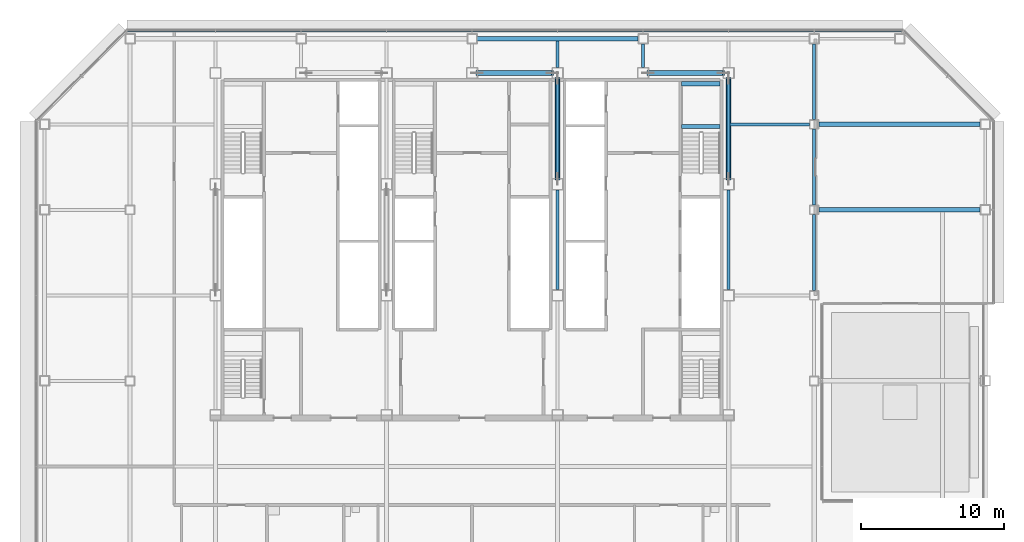
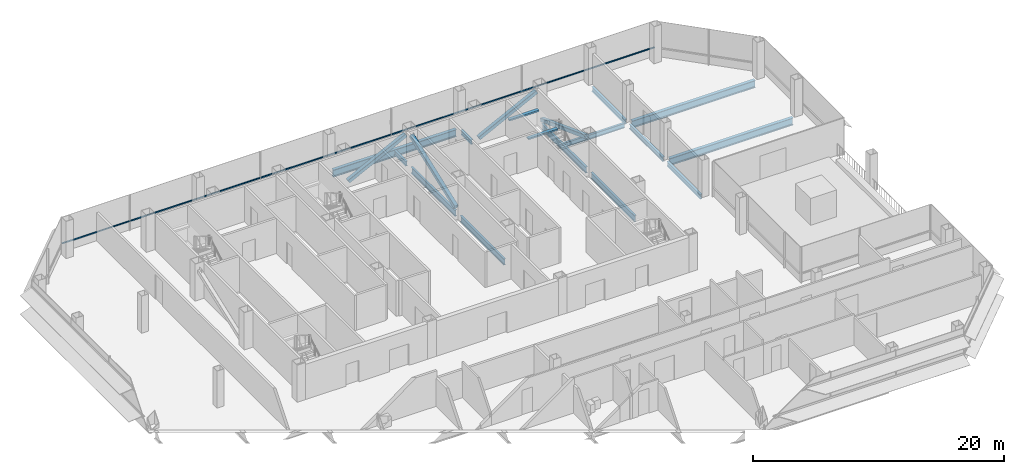
# One storey, part 14 of 27: 15 beams, 5 members, 1 element without a shape of its own.
"""IFC4 building model written with IfcOpenShell, lengths in metres."""

from ifc_helpers import new_model, si_unit, direction, frame, origin, origin_2d, place, context, subcontext, project, spatial, rectangle, hollow_rectangle, i_section, extrude, material, material_profile, profile_set, type_object, element, aggregate, save


model = new_model("IFC4")

# Units and contexts
model_context = context("Model", 3, precision=1e-05, world=origin(), true_north=direction((0.0, 1.0)))
body_context = subcontext(model_context, "Body", "Model", "MODEL_VIEW")
ifc_project = project(units=[si_unit("LENGTHUNIT", "METRE"), si_unit("AREAUNIT", "SQUARE_METRE"), si_unit("VOLUMEUNIT", "CUBIC_METRE"), si_unit("PLANEANGLEUNIT", "RADIAN"), si_unit("MASSUNIT", "GRAM", prefix="KILO")], contexts=[model_context])

# Site, building, storey
site_placement = place(None, origin())
site = spatial("IfcSite", under=ifc_project, at=site_placement, CompositionType="ELEMENT")
building_placement = place(site_placement, origin())
building = spatial("IfcBuilding", under=site, at=building_placement, Name="Sorahane Residences", CompositionType="ELEMENT")
storey_placement = place(building_placement, frame((0.0, 0.0, 167.199951171875)))
storey = spatial("IfcBuildingStorey", under=building, at=storey_placement, Name="L38", CompositionType="ELEMENT", Elevation=167.199951171875)

# Members
ifc_material_1 = material(Name="Steel Q355B", Category="steel")
ifc_material_profile_1 = material_profile(ifc_material_1, hollow_rectangle(XDim=0.35009765625, YDim=0.35009765625, WallThickness=0.01806640625, InnerFilletRadius=0.009033203125, OuterFilletRadius=0.027099609375, at=origin_2d()), Name="RHS 350x350x18")
ifc_profile_set_1 = profile_set([ifc_material_profile_1], Name="Steel Q355B")
member_type_1 = type_object("IfcMemberType", Name="Core brace RHS 350x350x18 Q355B", PredefinedType="BRACE", material=ifc_profile_set_1)
for number, where, z_axis, x_axis, name in (
    (1, (24.352783203125, 45.60009765625, 0.151123046875), (0.893039246852, 0.0, 0.449978781258), (0.0, 1.0, 0.0), "Core brace L38 y45.6-4"),
    (2, (36.352783203125, 45.60009765625, 0.151123046875), (0.893039246852, 0.0, 0.449978781258), (0.0, 1.0, 0.0), "Core brace L38 y45.6-6"),
):
    element("IfcMember", number, at=place(storey_placement, frame(where, z_axis=z_axis, x_axis=x_axis)), inside=storey, type_object=member_type_1, Name=name, PredefinedType="BRACE", context=body_context, shape_type="SweptSolid", body=[
        extrude(hollow_rectangle(XDim=0.35009765625, YDim=0.35009765625, WallThickness=0.01806640625, InnerFilletRadius=0.009033203125, OuterFilletRadius=0.027099609375, at=origin_2d()), origin(), (0.0, 0.0, 1.0), 5.928466796875),
    ])
for number, where, z_axis, x_axis, name in (
    (3, (42.0, 45.23681640625, 0.161376953125), (0.0, -0.936554808937, 0.350521168914), (1.0, 0.0, 0.0), "Core brace L38 x42-3"),
    (4, (30.0, 38.1630859375, 0.161376953125), (0.0, 0.936554808937, 0.350521168914), (-1.0, 0.0, 0.0), "Core brace L38 x30-2"),
):
    element("IfcMember", number, at=place(storey_placement, frame(where, z_axis=z_axis, x_axis=x_axis)), inside=storey, type_object=member_type_1, Name=name, PredefinedType="BRACE", context=body_context, shape_type="SweptSolid", body=[
        extrude(hollow_rectangle(XDim=0.35009765625, YDim=0.35009765625, WallThickness=0.01806640625, InnerFilletRadius=0.009033203125, OuterFilletRadius=0.027099609375, at=origin_2d()), origin(), (0.0, 0.0, 1.0), 7.552978515625),
    ])

# Curtain wall, member
ifc_material_2 = material(Name="Dark low-e glass and black anodised aluminium", Category="aluminium")
curtain_wall_type = type_object("IfcCurtainWallType", Name="Curtain wall CW-1 Typical unitised wall", PredefinedType="NOTDEFINED", material=ifc_material_2)
curtain_wall_placement = place(storey_placement, origin())
curtain_wall = element("IfcCurtainWall", 5, at=curtain_wall_placement, inside=storey, type_object=curtain_wall_type, Name="CW-1 curtain wall L38 N2", PredefinedType="NOTDEFINED")
ifc_material_3 = material(Name="Black anodised aluminium", Category="aluminium")
ifc_material_profile_2 = material_profile(ifc_material_3, rectangle(XDim=0.10009765625, YDim=0.06005859375, at=origin_2d()), Name="Curtain wall transom CW-1 black anodised aluminium 60x100")
ifc_profile_set_2 = profile_set([ifc_material_profile_2], Name="Black anodised aluminium")
member_type_2 = type_object("IfcMemberType", Name="Curtain wall transom CW-1 black anodised aluminium 60x100", PredefinedType="USERDEFINED", material=ifc_profile_set_2)
member_placement = place(storey_placement, frame((54.198486328125, 48.530029296875, 0.900146484375), z_axis=(-1.0, 0.0, 0.0), x_axis=(0.0, -1.0, 0.0)))
member = element("IfcMember", 6, at=member_placement, type_object=member_type_2, Name="CW-1 transom L38 N2", ObjectType="TRANSOM", PredefinedType="USERDEFINED", context=body_context, shape_type="SweptSolid", body=[
    extrude(rectangle(XDim=0.10009765625, YDim=0.06005859375, at=origin_2d()), origin(), (0.0, 0.0, 1.0), 54.39697265625),
])
aggregate(curtain_wall, [member])

# Beams
ifc_material_4 = material(Name="Concrete C40", Category="concrete")
ifc_material_profile_3 = material_profile(ifc_material_4, rectangle(XDim=0.300048828125, YDim=0.139892578125, at=origin_2d()), Name="300x140")
ifc_profile_set_3 = profile_set([ifc_material_profile_3], Name="Concrete C40")
beam_type_1 = type_object("IfcBeamType", Name="RC landing beam 300 x 140 Concrete C40", PredefinedType="BEAM", material=ifc_profile_set_3)
for number, where, z_axis, x_axis, name in (
    (7, (38.699951171875, 41.85009765625, 1.530029296875), (1.0, 0.0, 0.0), (0.0, 1.0, 0.0), "Landing beam"),
    (8, (38.699951171875, 44.85009765625, 1.530029296875), (1.0, 0.0, 0.0), (0.0, 1.0, 0.0), "Landing beam"),
):
    element("IfcBeam", number, at=place(storey_placement, frame(where, z_axis=z_axis, x_axis=x_axis)), inside=storey, type_object=beam_type_1, Name=name, PredefinedType="BEAM", context=body_context, shape_type="SweptSolid", body=[
        extrude(rectangle(XDim=0.300048828125, YDim=0.139892578125, at=origin_2d()), origin(), (0.0, 0.0, 1.0), 2.699951171875),
    ])
ifc_material_5 = material(Name="Steel Q355B", Category="steel")
ifc_material_profile_4 = material_profile(ifc_material_5, i_section(OverallWidth=0.199951171875, OverallDepth=0.449951171875, WebThickness=0.009033203125, FlangeThickness=0.013916015625, FilletRadius=0.02001953125, at=origin_2d()), Name="HN 450x200x9x14")
ifc_profile_set_4 = profile_set([ifc_material_profile_4], Name="Steel Q355B")
beam_type_2 = type_object("IfcBeamType", Name="Steel floor beam HN 450x200x9x14 Q355B", PredefinedType="BEAM", material=ifc_profile_set_4)
beam_1_placement = place(storey_placement, frame((30.0, 46.0, -0.405029296875), z_axis=(0.0, 1.0, 0.0), x_axis=(-1.0, 0.0, 0.0)))
element("IfcBeam", 9, at=beam_1_placement, inside=storey, type_object=beam_type_2, Name="Beam L38 049", PredefinedType="BEAM", context=body_context, shape_type="SweptSolid", body=[
    extrude(i_section(OverallWidth=0.199951171875, OverallDepth=0.449951171875, WebThickness=0.009033203125, FlangeThickness=0.013916015625, FilletRadius=0.02001953125, at=origin_2d()), origin(), (0.0, 0.0, 1.0), 1.85009765625),
])
beam_2_placement = place(storey_placement, frame((36.0, 46.0, -0.405029296875), z_axis=(0.0, 1.0, 0.0), x_axis=(-1.0, 0.0, 0.0)))
element("IfcBeam", 10, at=beam_2_placement, inside=storey, type_object=beam_type_2, Name="Beam L38 051", PredefinedType="BEAM", context=body_context, shape_type="SweptSolid", body=[
    extrude(i_section(OverallWidth=0.199951171875, OverallDepth=0.449951171875, WebThickness=0.009033203125, FlangeThickness=0.013916015625, FilletRadius=0.02001953125, at=origin_2d()), origin(), (0.0, 0.0, 1.0), 1.64990234375),
])
for number, where, z_axis, x_axis, name in (
    (11, (48.0, 30.324951171875, -0.405029296875), (0.0, 1.0, 0.0), (-1.0, 0.0, 0.0), "Beam L38 061"),
    (12, (48.0, 36.324951171875, -0.405029296875), (0.0, 1.0, 0.0), (-1.0, 0.0, 0.0), "Beam L38 062"),
):
    element("IfcBeam", number, at=place(storey_placement, frame(where, z_axis=z_axis, x_axis=x_axis)), inside=storey, type_object=beam_type_2, Name=name, PredefinedType="BEAM", context=body_context, shape_type="SweptSolid", body=[
        extrude(i_section(OverallWidth=0.199951171875, OverallDepth=0.449951171875, WebThickness=0.009033203125, FlangeThickness=0.013916015625, FilletRadius=0.02001953125, at=origin_2d()), origin(), (0.0, 0.0, 1.0), 5.35009765625),
    ])
beam_3_placement = place(storey_placement, frame((48.0, 42.324951171875, -0.405029296875), z_axis=(0.0, 1.0, 0.0), x_axis=(-1.0, 0.0, 0.0)))
element("IfcBeam", 13, at=beam_3_placement, inside=storey, type_object=beam_type_2, Name="Beam L38 063", PredefinedType="BEAM", context=body_context, shape_type="SweptSolid", body=[
    extrude(i_section(OverallWidth=0.199951171875, OverallDepth=0.449951171875, WebThickness=0.009033203125, FlangeThickness=0.013916015625, FilletRadius=0.02001953125, at=origin_2d()), origin(), (0.0, 0.0, 1.0), 5.324951171875),
])
beam_4_placement = place(storey_placement, frame((42.10009765625, 42.0, -0.405029296875), z_axis=(1.0, 0.0, 0.0), x_axis=(0.0, 1.0, 0.0)))
element("IfcBeam", 14, at=beam_4_placement, inside=storey, type_object=beam_type_2, Name="Beam L38 087", PredefinedType="BEAM", context=body_context, shape_type="SweptSolid", body=[
    extrude(i_section(OverallWidth=0.199951171875, OverallDepth=0.449951171875, WebThickness=0.009033203125, FlangeThickness=0.013916015625, FilletRadius=0.02001953125, at=origin_2d()), origin(), (0.0, 0.0, 1.0), 5.574951171875),
])
ifc_material_6 = material(Name="Steel Q355B", Category="steel")
ifc_material_profile_5 = material_profile(ifc_material_6, i_section(OverallWidth=0.199951171875, OverallDepth=0.60009765625, WebThickness=0.010986328125, FlangeThickness=0.01708984375, FilletRadius=0.02392578125, at=origin_2d()), Name="HN 600x200x11x17")
ifc_profile_set_5 = profile_set([ifc_material_profile_5], Name="Steel Q355B")
beam_type_3 = type_object("IfcBeamType", Name="Steel floor beam HN 600x200x11x17 Q355B", PredefinedType="BEAM", material=ifc_profile_set_5)
for number, where, z_axis, x_axis, name in (
    (15, (30.0, 30.39990234375, -0.47998046875), (0.0, 1.0, 0.0), (-1.0, 0.0, 0.0), "Beam L38 047"),
    (16, (30.0, 38.199951171875, -0.47998046875), (0.0, 1.0, 0.0), (-1.0, 0.0, 0.0), "Beam L38 048"),
    (17, (42.0, 30.39990234375, -0.47998046875), (0.0, 1.0, 0.0), (-1.0, 0.0, 0.0), "Beam L38 055"),
    (18, (42.0, 38.199951171875, -0.47998046875), (0.0, 1.0, 0.0), (-1.0, 0.0, 0.0), "Beam L38 056"),
):
    element("IfcBeam", number, at=place(storey_placement, frame(where, z_axis=z_axis, x_axis=x_axis)), inside=storey, type_object=beam_type_3, Name=name, PredefinedType="BEAM", context=body_context, shape_type="SweptSolid", body=[
        extrude(i_section(OverallWidth=0.199951171875, OverallDepth=0.60009765625, WebThickness=0.010986328125, FlangeThickness=0.01708984375, FilletRadius=0.02392578125, at=origin_2d()), origin(), (0.0, 0.0, 1.0), 7.0),
    ])
ifc_material_7 = material(Name="Steel Q355B", Category="steel")
ifc_material_profile_6 = material_profile(ifc_material_7, i_section(OverallWidth=0.300048828125, OverallDepth=0.699951171875, WebThickness=0.012939453125, FlangeThickness=0.02392578125, FilletRadius=0.028076171875, at=origin_2d()), Name="HN 700x300x13x24")
ifc_profile_set_6 = profile_set([ifc_material_profile_6], Name="Steel Q355B")
beam_type_4 = type_object("IfcBeamType", Name="Steel floor beam HN 700x300x13x24 Q355B", PredefinedType="BEAM", material=ifc_profile_set_6)
beam_5_placement = place(storey_placement, frame((48.324951171875, 36.0, -0.530029296875), z_axis=(1.0, 0.0, 0.0), x_axis=(0.0, 1.0, 0.0)))
element("IfcBeam", 19, at=beam_5_placement, inside=storey, type_object=beam_type_4, Name="Beam L38 014", PredefinedType="BEAM", context=body_context, shape_type="SweptSolid", body=[
    extrude(i_section(OverallWidth=0.300048828125, OverallDepth=0.699951171875, WebThickness=0.012939453125, FlangeThickness=0.02392578125, FilletRadius=0.028076171875, at=origin_2d()), origin(), (0.0, 0.0, 1.0), 11.324951171875),
])
beam_6_placement = place(storey_placement, frame((24.35009765625, 48.0, -0.530029296875), z_axis=(1.0, 0.0, 0.0), x_axis=(0.0, 1.0, 0.0)))
element("IfcBeam", 20, at=beam_6_placement, inside=storey, type_object=beam_type_4, Name="Beam L38 017", PredefinedType="BEAM", context=body_context, shape_type="SweptSolid", body=[
    extrude(i_section(OverallWidth=0.300048828125, OverallDepth=0.699951171875, WebThickness=0.012939453125, FlangeThickness=0.02392578125, FilletRadius=0.028076171875, at=origin_2d()), origin(), (0.0, 0.0, 1.0), 11.2998046875),
])
beam_7_placement = place(storey_placement, frame((48.324951171875, 42.0, -0.530029296875), z_axis=(1.0, 0.0, 0.0), x_axis=(0.0, 1.0, 0.0)))
element("IfcBeam", 21, at=beam_7_placement, inside=storey, type_object=beam_type_4, Name="Beam L38 088", PredefinedType="BEAM", context=body_context, shape_type="SweptSolid", body=[
    extrude(i_section(OverallWidth=0.300048828125, OverallDepth=0.699951171875, WebThickness=0.012939453125, FlangeThickness=0.02392578125, FilletRadius=0.028076171875, at=origin_2d()), origin(), (0.0, 0.0, 1.0), 11.324951171875),
])

save(model, "model.ifc")
